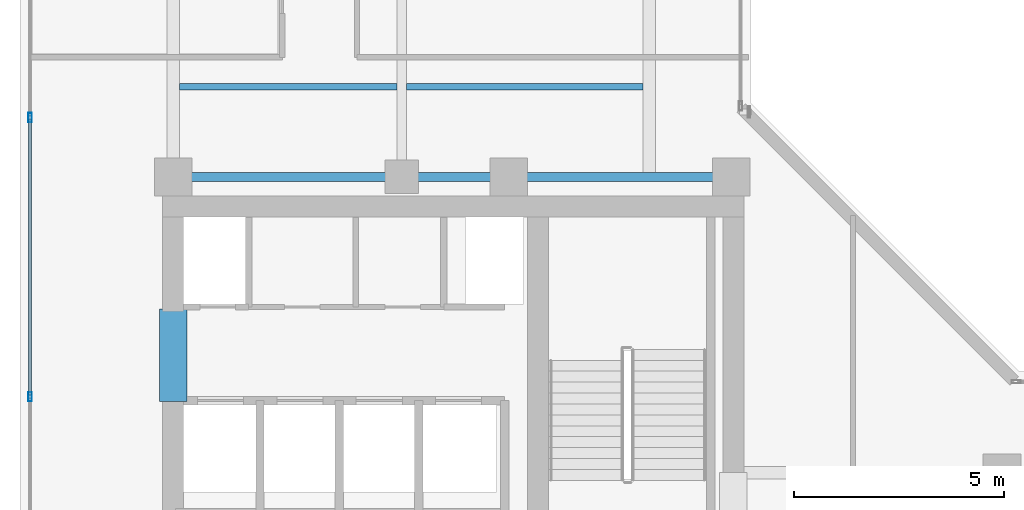
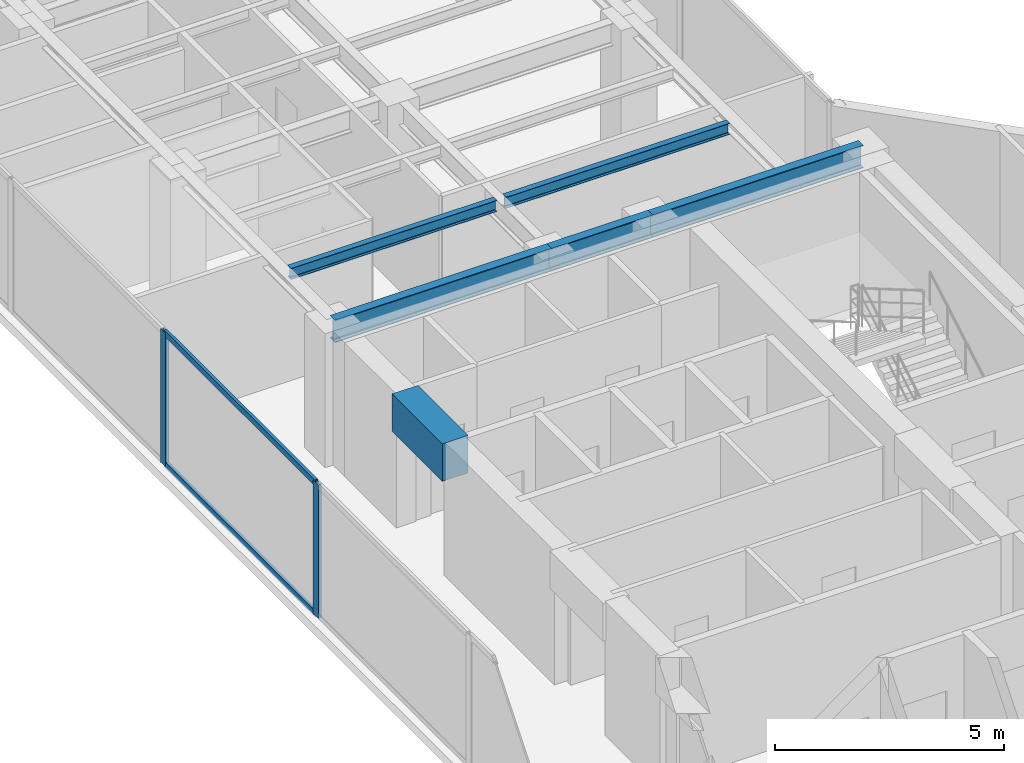
# One storey, part 7 of 24: 6 beams, 4 members, 1 element without a shape of its own.
"""IFC4 building model written with IfcOpenShell, lengths in metres."""

from ifc_helpers import new_model, si_unit, direction, frame, origin, origin_with_axes, origin_2d, place, context, subcontext, project, spatial, rectangle, hollow_rectangle, i_section, extrude, source, transform, mapped, material, layer, layer_set, material_profile, profile_set, type_object, element, aggregate, save


model = new_model("IFC4")

# Units and contexts
model_context = context("Model", 3, precision=1e-05, world=origin(), true_north=direction((0.0, 1.0)))
body_context = subcontext(model_context, "Body", "Model", "MODEL_VIEW")
ifc_project = project(units=[si_unit("LENGTHUNIT", "METRE"), si_unit("AREAUNIT", "SQUARE_METRE"), si_unit("VOLUMEUNIT", "CUBIC_METRE"), si_unit("PLANEANGLEUNIT", "RADIAN"), si_unit("MASSUNIT", "GRAM", prefix="KILO")], contexts=[model_context])

# Site, building, storey
site_placement = place(None, origin())
site = spatial("IfcSite", under=ifc_project, at=site_placement, CompositionType="ELEMENT")
building_placement = place(site_placement, origin())
building = spatial("IfcBuilding", under=site, at=building_placement, Name="Kolvaren Waterfront Exchange", CompositionType="ELEMENT")
storey_placement = place(building_placement, frame((0.0, 0.0, 331.199951171875)))
storey = spatial("IfcBuildingStorey", under=building, at=storey_placement, Name="L85", CompositionType="ELEMENT", Elevation=331.199951171875)

# Beams
ifc_material_1 = material(Name="Steel S355", Category="steel")
ifc_material_profile_1 = material_profile(ifc_material_1, i_section(OverallWidth=0.14990234375, OverallDepth=0.300048828125, WebThickness=0.007080078125, FlangeThickness=0.0107421875, FilletRadius=0.014892578125, at=origin_2d()), Name="IPE300")
ifc_profile_set_1 = profile_set([ifc_material_profile_1], Name="Steel S355")
beam_type_1 = type_object("IfcBeamType", Name="STR-BM-IPE300", PredefinedType="JOIST", material=ifc_profile_set_1)
beam_1_placement = place(storey_placement, frame((7.60205078125, 26.60009765625, 3.41015625), z_axis=(1.0, 0.0, 0.0), x_axis=(0.0, 1.0, 0.0)))
element("IfcBeam", 1, at=beam_1_placement, inside=storey, type_object=beam_type_1, Name="L85 north-arm composite joist 1A", PredefinedType="JOIST", context=body_context, shape_type="SweptSolid", body=[
    extrude(i_section(OverallWidth=0.14990234375, OverallDepth=0.300048828125, WebThickness=0.007080078125, FlangeThickness=0.0107421875, FilletRadius=0.014892578125, at=origin_2d()), origin(), (0.0, 0.0, 1.0), 5.18603515625),
])
beam_2_placement = place(storey_placement, frame((13.011962890625, 26.60009765625, 3.41015625), z_axis=(1.0, 0.0, 0.0), x_axis=(0.0, 1.0, 0.0)))
element("IfcBeam", 2, at=beam_2_placement, inside=storey, type_object=beam_type_1, Name="L85 north-arm composite joist 1B", PredefinedType="JOIST", context=body_context, shape_type="SweptSolid", body=[
    extrude(i_section(OverallWidth=0.14990234375, OverallDepth=0.300048828125, WebThickness=0.007080078125, FlangeThickness=0.0107421875, FilletRadius=0.014892578125, at=origin_2d()), origin(), (0.0, 0.0, 1.0), 5.635986328125),
])
ifc_material_profile_2 = material_profile(ifc_material_1, i_section(OverallWidth=0.219970703125, OverallDepth=0.60009765625, WebThickness=0.011962890625, FlangeThickness=0.01904296875, FilletRadius=0.02392578125, at=origin_2d()), Name="IPE600")
ifc_profile_set_2 = profile_set([ifc_material_profile_2], Name="Steel S355")
beam_type_2 = type_object("IfcBeamType", Name="STR-BM-IPE600", PredefinedType="BEAM", material=ifc_profile_set_2)
beam_3_placement = place(storey_placement, frame((7.449951171875, 24.449951171875, 3.260009765625), z_axis=(1.0, 0.0, 0.0), x_axis=(0.0, 1.0, 0.0)))
element("IfcBeam", 3, at=beam_3_placement, inside=storey, type_object=beam_type_2, Name="L85 north-arm girder 1A", PredefinedType="BEAM", context=body_context, shape_type="SweptSolid", body=[
    extrude(i_section(OverallWidth=0.219970703125, OverallDepth=0.60009765625, WebThickness=0.011962890625, FlangeThickness=0.01904296875, FilletRadius=0.02392578125, at=origin_2d()), origin(), (0.0, 0.0, 1.0), 5.449951171875),
])
beam_4_placement = place(storey_placement, frame((12.89990234375, 24.449951171875, 3.260009765625), z_axis=(1.0, 0.0, 0.0), x_axis=(0.0, 1.0, 0.0)))
element("IfcBeam", 4, at=beam_4_placement, inside=storey, type_object=beam_type_2, Name="L85 north-arm girder 1B", PredefinedType="BEAM", context=body_context, shape_type="SweptSolid", body=[
    extrude(i_section(OverallWidth=0.219970703125, OverallDepth=0.60009765625, WebThickness=0.011962890625, FlangeThickness=0.01904296875, FilletRadius=0.02392578125, at=origin_2d()), origin(), (0.0, 0.0, 1.0), 2.550048828125),
])
beam_5_placement = place(storey_placement, frame((15.449951171875, 24.449951171875, 3.260009765625), z_axis=(1.0, 0.0, 0.0), x_axis=(0.0, 1.0, 0.0)))
element("IfcBeam", 5, at=beam_5_placement, inside=storey, type_object=beam_type_2, Name="L85 north-arm girder 1C", PredefinedType="BEAM", context=body_context, shape_type="SweptSolid", body=[
    extrude(i_section(OverallWidth=0.219970703125, OverallDepth=0.60009765625, WebThickness=0.011962890625, FlangeThickness=0.01904296875, FilletRadius=0.02392578125, at=origin_2d()), origin(), (0.0, 0.0, 1.0), 5.300048828125),
])
ifc_material_2 = material(Name="Concrete C60/75", Category="concrete")
ifc_material_profile_3 = material_profile(ifc_material_2, rectangle(XDim=0.64990234375, YDim=1.0, at=origin_2d()), Name="RC-CB-1000x650")
ifc_profile_set_3 = profile_set([ifc_material_profile_3], Name="Concrete C60/75")
beam_type_3 = type_object("IfcBeamType", Name="STR-CB-1000", PredefinedType="SPANDREL", material=ifc_profile_set_3)
beam_6_placement = place(storey_placement, frame((7.449951171875, 19.10009765625, 3.06005859375), z_axis=(0.0, 1.0, 0.0), x_axis=(-1.0, 0.0, 0.0)))
element("IfcBeam", 6, at=beam_6_placement, inside=storey, type_object=beam_type_3, Name="L85 core coupling beam 5", PredefinedType="SPANDREL", context=body_context, shape_type="SweptSolid", body=[
    extrude(rectangle(XDim=0.64990234375, YDim=1.0, at=origin_2d()), origin(), (0.0, 0.0, 1.0), 2.199951171875),
])

# Curtain wall, members
ifc_material_3 = material(Name="Anodised aluminium 6063-T6", Category="aluminium")
ifc_layer = layer(ifc_material_3, 0.219970703125, Name="Anodised aluminium 6063-T6")
ifc_layer_set = layer_set([ifc_layer], Name="Anodised aluminium 6063-T6")
curtain_wall_type = type_object("IfcCurtainWallType", Name="ARC-CW-SYS2", PredefinedType="USERDEFINED", material=ifc_layer_set)
curtain_wall_placement = place(storey_placement, origin())
curtain_wall = element("IfcCurtainWall", 7, at=curtain_wall_placement, inside=storey, type_object=curtain_wall_type, Name="L85 stick curtain wall CW2 (CW-L85-W)", ObjectType="STICK CURTAIN WALL", PredefinedType="USERDEFINED")
ifc_material_profile_4 = material_profile(ifc_material_3, hollow_rectangle(XDim=0.080078125, YDim=0.219970703125, WallThickness=0.0048828125, at=origin_2d()), Name="ALU-MUL-220x80x5")
ifc_profile_set_4 = profile_set([ifc_material_profile_4], Name="Anodised aluminium 6063-T6")
member_type_1 = type_object("IfcMemberType", Name="ARC-CWM-220", PredefinedType="MULLION", material=ifc_profile_set_4)
shared_shape_1 = source(origin_with_axes(), body_context, "Body", "SweptSolid", [
    extrude(hollow_rectangle(XDim=0.080078125, YDim=0.219970703125, WallThickness=0.0048828125, at=origin_2d()), origin(), (0.0, 0.0, 1.0), 3.56005859375),
])
member_1_placement = place(storey_placement, frame((4.0400390625, 19.212158203125, 0.0), z_axis=(0.0, 0.0, 1.0), x_axis=(-1.0, 0.0, 0.0)))
member_1 = element("IfcMember", 8, at=member_1_placement, type_object=member_type_1, Name="CW2 mullion 3", PredefinedType="MULLION", context=body_context, shape_type="MappedRepresentation", body=[
    mapped(shared_shape_1, transform((0.0, 0.0, 0.0), x_axis=(1.0, 0.0, 0.0), y_axis=(0.0, 1.0, 0.0), z_axis=(0.0, 0.0, 1.0), scale=1.0)),
])
member_2_placement = place(storey_placement, frame((4.0400390625, 25.868408203125, 0.0), z_axis=(0.0, 0.0, 1.0), x_axis=(-1.0, 0.0, 0.0)))
member_2 = element("IfcMember", 9, at=member_2_placement, type_object=member_type_1, Name="CW2 mullion 4", PredefinedType="MULLION", context=body_context, shape_type="MappedRepresentation", body=[
    mapped(shared_shape_1, transform((0.0, 0.0, 0.0), x_axis=(1.0, 0.0, 0.0), y_axis=(0.0, 1.0, 0.0), z_axis=(0.0, 0.0, 1.0), scale=1.0)),
])
ifc_material_profile_5 = material_profile(ifc_material_3, hollow_rectangle(XDim=0.074951171875, YDim=0.159912109375, WallThickness=0.00439453125, at=origin_2d()), Name="ALU-TRN-160x75x4.5")
ifc_profile_set_5 = profile_set([ifc_material_profile_5], Name="Anodised aluminium 6063-T6")
member_type_2 = type_object("IfcMemberType", Name="ARC-CWT-160", PredefinedType="USERDEFINED", material=ifc_profile_set_5)
shared_shape_2 = source(origin_with_axes(), body_context, "Body", "SweptSolid", [
    extrude(hollow_rectangle(XDim=0.074951171875, YDim=0.159912109375, WallThickness=0.00439453125, at=origin_2d()), origin(), (0.0, 0.0, 1.0), 6.576171875),
])
member_3_placement = place(storey_placement, frame((4.0400390625, 19.252197265625, 0.03759765625), z_axis=(0.0, 1.0, 0.0), x_axis=(-1.0, 0.0, 0.0)))
member_3 = element("IfcMember", 10, at=member_3_placement, type_object=member_type_2, Name="CW2 transom 3.1", ObjectType="TRANSOM", PredefinedType="USERDEFINED", context=body_context, shape_type="MappedRepresentation", body=[
    mapped(shared_shape_2, transform((0.0, 0.0, 0.0), x_axis=(1.0, 0.0, 0.0), y_axis=(0.0, 1.0, 0.0), z_axis=(0.0, 0.0, 1.0), scale=1.0)),
])
member_4_placement = place(storey_placement, frame((4.0400390625, 19.252197265625, 3.5224609375), z_axis=(0.0, 1.0, 0.0), x_axis=(-1.0, 0.0, 0.0)))
member_4 = element("IfcMember", 11, at=member_4_placement, type_object=member_type_2, Name="CW2 transom 3.2", ObjectType="TRANSOM", PredefinedType="USERDEFINED", context=body_context, shape_type="MappedRepresentation", body=[
    mapped(shared_shape_2, transform((0.0, 0.0, 0.0), x_axis=(1.0, 0.0, 0.0), y_axis=(0.0, 1.0, 0.0), z_axis=(0.0, 0.0, 1.0), scale=1.0)),
])
aggregate(curtain_wall, [member_1, member_2, member_3, member_4])

save(model, "model.ifc")
